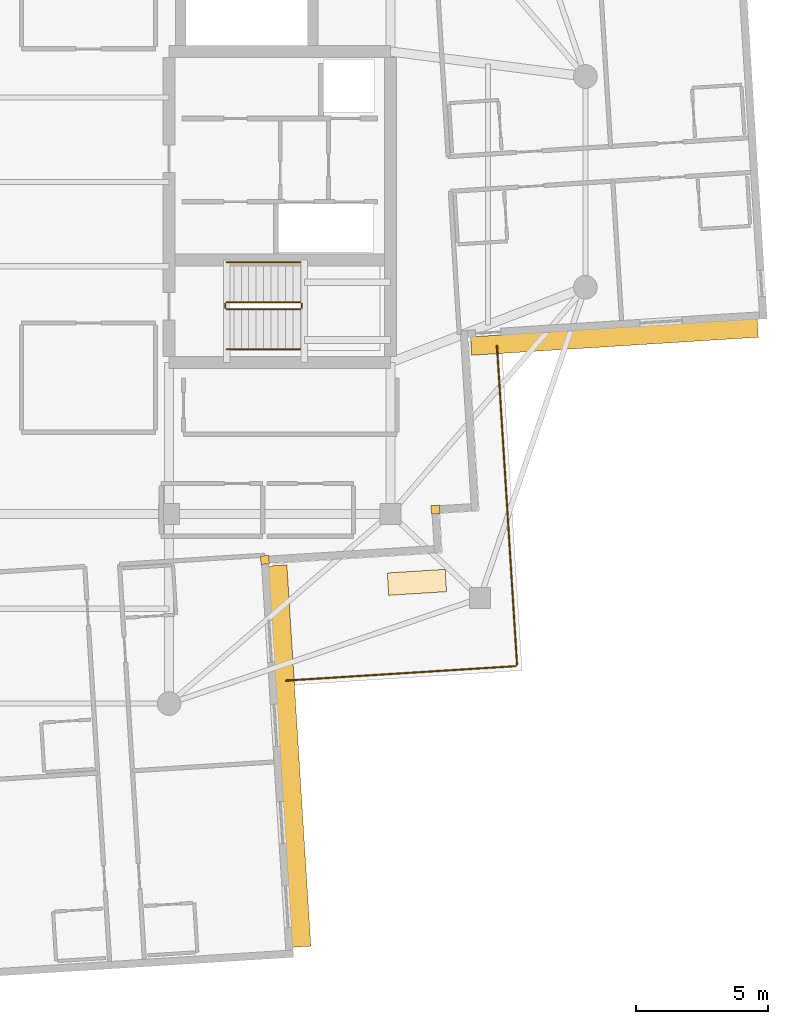
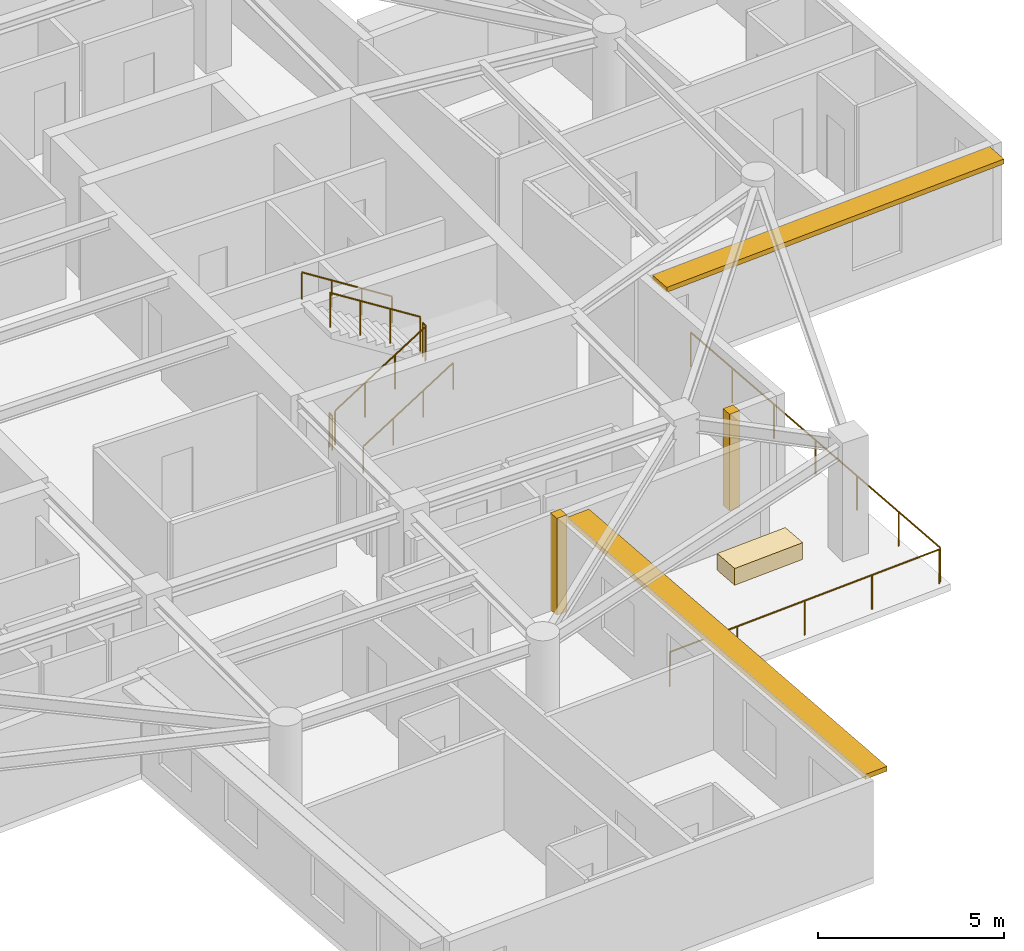
# One storey, part 11 of 13: 8 railings, 3 coverings, 2 shading devices.
"""IFC4 building model written with IfcOpenShell, lengths in metres."""

from ifc_helpers import new_model, si_unit, direction, frame, origin, origin_2d, place, context, subcontext, project, spatial, rectangle, circle, extrude, material, layer, layer_set, type_object, element, save


model = new_model("IFC4")

# Units and contexts
model_context = context("Model", 3, precision=1e-05, world=origin(), true_north=direction((0.0, 1.0)))
body_context = subcontext(model_context, "Body", "Model", "MODEL_VIEW")
ifc_project = project(units=[si_unit("LENGTHUNIT", "METRE"), si_unit("AREAUNIT", "SQUARE_METRE"), si_unit("VOLUMEUNIT", "CUBIC_METRE"), si_unit("PLANEANGLEUNIT", "RADIAN"), si_unit("MASSUNIT", "GRAM", prefix="KILO")], contexts=[model_context])

# Site, building, storey
site_placement = place(None, origin())
site = spatial("IfcSite", under=ifc_project, at=site_placement, CompositionType="ELEMENT")
building_placement = place(site_placement, origin())
building = spatial("IfcBuilding", under=site, at=building_placement, Name="Qingluan Cross Belvedere", CompositionType="ELEMENT")
storey_placement = place(building_placement, frame((0.0, 0.0, 281.10009765625)))
storey = spatial("IfcBuildingStorey", under=building, at=storey_placement, Name="L70", CompositionType="ELEMENT", Elevation=281.10009765625)

# Coverings
ifc_material_1 = material(Name="Precast concrete C45", Category="concrete")
ifc_layer_1 = layer(ifc_material_1, 0.1201171875, Name="ConcreteSpandrelCladding_120")
ifc_layer_set_1 = layer_set([ifc_layer_1], Name="Precast concrete C45")
covering_type_1 = type_object("IfcCoveringType", Name="ConcreteSpandrelCladding_120", PredefinedType="CLADDING", material=ifc_layer_set_1)
for number, where, z_axis, x_axis, name in (
    (1, (14.10888671875, -12.438720703125, 0.0), (0.0, 0.0, 1.0), (0.998026728428, 0.062790519529, 0.0), "Corner closure L70-SE1"),
    (2, (7.635986328125, -14.348876953125, 0.0), (0.0, 0.0, 1.0), (0.998026728428, 0.062790519529, 0.0), "Corner closure L70-SE2"),
):
    element("IfcCovering", number, at=place(storey_placement, frame(where, z_axis=z_axis, x_axis=x_axis)), inside=storey, type_object=covering_type_1, Name=name, PredefinedType="CLADDING", context=body_context, shape_type="SweptSolid", body=[
        extrude(rectangle(XDim=0.320068359375, YDim=0.320068359375, at=origin_2d()), origin(), (0.0, 0.0, 1.0), 3.179931640625),
    ])

# Shading devices
ifc_material_2 = material(Name="Precast concrete C45", Category="concrete")
ifc_layer_2 = layer(ifc_material_2, 0.139892578125, Name="ConcreteSunshadeBand_700")
ifc_layer_set_2 = layer_set([ifc_layer_2], Name="Precast concrete C45")
shading_device_type = type_object("IfcShadingDeviceType", Name="ConcreteSunshadeBand_700", PredefinedType="USERDEFINED", material=ifc_layer_set_2)
shading_device_1_placement = place(storey_placement, frame((20.901123046875, -5.88916015625, 3.0), z_axis=(0.0, 0.0, 1.0), x_axis=(0.99802715169, 0.062783791618, 0.0)))
element("IfcShadingDevice", 3, at=shading_device_1_placement, inside=storey, type_object=shading_device_type, Name="Concrete SUNSHADE L70-EA", ObjectType="SUNSHADE", PredefinedType="USERDEFINED", context=body_context, shape_type="SweptSolid", body=[
    extrude(rectangle(XDim=10.89990234375, YDim=0.699951171875, at=origin_2d()), origin(), (0.0, 0.0, 1.0), 0.159912109375),
])
shading_device_2_placement = place(storey_placement, frame((8.575439453125, -21.794677734375, 3.0), z_axis=(0.0, 0.0, 1.0), x_axis=(-0.062795866837, 0.99802639199, 0.0)))
element("IfcShadingDevice", 4, at=shading_device_2_placement, inside=storey, type_object=shading_device_type, Name="Concrete SUNSHADE L70-SB", ObjectType="SUNSHADE", PredefinedType="USERDEFINED", context=body_context, shape_type="SweptSolid", body=[
    extrude(rectangle(XDim=14.5, YDim=0.699951171875, at=origin_2d()), origin(), (0.0, 0.0, 1.0), 0.159912109375),
])

# Railings
ifc_material_3 = material(Name="Brushed stainless steel tubular handrail", Category="steel")
railing_type_1 = type_object("IfcRailingType", Name="StairPitchHandrail_900", PredefinedType="HANDRAIL", material=ifc_material_3)
railing_1_placement = place(storey_placement, frame((6.179931640625, -6.35009765625, 0.17724609375)))
element("IfcRailing", 5, at=railing_1_placement, inside=storey, type_object=railing_type_1, Name="L70 ST2 stair handrail 1", PredefinedType="HANDRAIL", context=body_context, shape_type="SweptSolid", body=[
    extrude(circle(Radius=0.02392578125, at=origin_2d()), frame((0.0, 0.0, 0.8759765625), z_axis=(0.844908973607, 0.0, 0.534910110503), x_axis=(0.0, 1.0, 0.0)), (0.0, 0.0, 1.0), 3.31396484375),
    extrude(circle(Radius=0.02099609375, at=origin_2d()), origin(), (0.0, 0.0, 1.0), 0.851806640625),
    extrude(circle(Radius=0.02099609375, at=origin_2d()), frame((0.933349609375, 0.0, 0.5908203125)), (0.0, 0.0, 1.0), 0.851806640625),
    extrude(circle(Radius=0.02099609375, at=origin_2d()), frame((1.86669921875, 0.0, 1.181884765625)), (0.0, 0.0, 1.0), 0.851806640625),
    extrude(circle(Radius=0.02099609375, at=origin_2d()), frame((2.800048828125, 0.0, 1.772705078125)), (0.0, 0.0, 1.0), 0.851806640625),
])
railing_2_placement = place(storey_placement, frame((8.97998046875, -3.050048828125, 2.127197265625)))
element("IfcRailing", 6, at=railing_2_placement, inside=storey, type_object=railing_type_1, Name="L70 ST2 stair handrail 2", PredefinedType="HANDRAIL", context=body_context, shape_type="SweptSolid", body=[
    extrude(circle(Radius=0.02392578125, at=origin_2d()), frame((0.0, 0.0, 0.8759765625), z_axis=(-0.844908973607, 0.0, 0.534910110503), x_axis=(0.0, -1.0, 0.0)), (0.0, 0.0, 1.0), 3.31396484375),
    extrude(circle(Radius=0.02099609375, at=origin_2d()), origin(), (0.0, 0.0, 1.0), 0.851806640625),
    extrude(circle(Radius=0.02099609375, at=origin_2d()), frame((-0.933349609375, 0.0, 0.5908203125)), (0.0, 0.0, 1.0), 0.851806640625),
    extrude(circle(Radius=0.02099609375, at=origin_2d()), frame((-1.86669921875, 0.0, 1.181884765625)), (0.0, 0.0, 1.0), 0.851806640625),
    extrude(circle(Radius=0.02099609375, at=origin_2d()), frame((-2.800048828125, 0.0, 1.772705078125)), (0.0, 0.0, 1.0), 0.851806640625),
])
ifc_material_4 = material(Name="Painted steel stair well guard", Category="steel")
railing_type_2 = type_object("IfcRailingType", Name="StairWellGuard_1150", PredefinedType="BALUSTRADE", material=ifc_material_4)
railing_3_placement = place(storey_placement, frame((6.179931640625, -4.830078125, 0.17724609375)))
element("IfcRailing", 7, at=railing_3_placement, inside=storey, type_object=railing_type_2, Name="L70 ST2 stair guard 1", PredefinedType="BALUSTRADE", context=body_context, shape_type="SweptSolid", body=[
    extrude(circle(Radius=0.02392578125, at=origin_2d()), frame((0.0, 0.0, 1.1259765625), z_axis=(0.844908973607, 0.0, 0.534910110503), x_axis=(0.0, 1.0, 0.0)), (0.0, 0.0, 1.0), 3.31396484375),
    extrude(circle(Radius=0.02099609375, at=origin_2d()), origin(), (0.0, 0.0, 1.0), 1.101806640625),
    extrude(circle(Radius=0.02099609375, at=origin_2d()), frame((0.933349609375, 0.0, 0.5908203125)), (0.0, 0.0, 1.0), 1.101806640625),
    extrude(circle(Radius=0.02099609375, at=origin_2d()), frame((1.86669921875, 0.0, 1.181884765625)), (0.0, 0.0, 1.0), 1.101806640625),
    extrude(circle(Radius=0.02099609375, at=origin_2d()), frame((2.800048828125, 0.0, 1.772705078125)), (0.0, 0.0, 1.0), 1.101806640625),
])
railing_4_placement = place(storey_placement, frame((9.030029296875, -4.780029296875, 1.949951171875)))
element("IfcRailing", 8, at=railing_4_placement, inside=storey, type_object=railing_type_2, Name="L70 ST2 stair guard 2", PredefinedType="BALUSTRADE", context=body_context, shape_type="SweptSolid", body=[
    extrude(circle(Radius=0.02392578125, at=origin_2d()), frame((0.0, 0.0, 1.1259765625), z_axis=(0.0, 1.0, 0.0), x_axis=(-1.0, 0.0, 0.0)), (0.0, 0.0, 1.0), 0.159912109375),
    extrude(circle(Radius=0.02099609375, at=origin_2d()), origin(), (0.0, 0.0, 1.0), 1.101806640625),
    extrude(circle(Radius=0.02099609375, at=origin_2d()), frame((0.0, 0.159912109375, 0.0)), (0.0, 0.0, 1.0), 1.101806640625),
])
railing_5_placement = place(storey_placement, frame((8.97998046875, -4.570068359375, 2.127197265625)))
element("IfcRailing", 9, at=railing_5_placement, inside=storey, type_object=railing_type_2, Name="L70 ST2 stair guard 3", PredefinedType="BALUSTRADE", context=body_context, shape_type="SweptSolid", body=[
    extrude(circle(Radius=0.02392578125, at=origin_2d()), frame((0.0, 0.0, 1.1259765625), z_axis=(-0.844908973607, 0.0, 0.534910110503), x_axis=(0.0, -1.0, 0.0)), (0.0, 0.0, 1.0), 3.31396484375),
    extrude(circle(Radius=0.02099609375, at=origin_2d()), origin(), (0.0, 0.0, 1.0), 1.101806640625),
    extrude(circle(Radius=0.02099609375, at=origin_2d()), frame((-0.933349609375, 0.0, 0.5908203125)), (0.0, 0.0, 1.0), 1.101806640625),
    extrude(circle(Radius=0.02099609375, at=origin_2d()), frame((-1.86669921875, 0.0, 1.181884765625)), (0.0, 0.0, 1.0), 1.101806640625),
    extrude(circle(Radius=0.02099609375, at=origin_2d()), frame((-2.800048828125, 0.0, 1.772705078125)), (0.0, 0.0, 1.0), 1.101806640625),
])
railing_6_placement = place(storey_placement, frame((6.1298828125, -4.780029296875, 0.0)))
element("IfcRailing", 10, at=railing_6_placement, inside=storey, type_object=railing_type_2, Name="L70 ST2 stair guard 4", PredefinedType="BALUSTRADE", context=body_context, shape_type="SweptSolid", body=[
    extrude(circle(Radius=0.02392578125, at=origin_2d()), frame((0.0, 0.0, 1.1259765625), z_axis=(0.0, 1.0, 0.0), x_axis=(-1.0, 0.0, 0.0)), (0.0, 0.0, 1.0), 0.159912109375),
    extrude(circle(Radius=0.02099609375, at=origin_2d()), origin(), (0.0, 0.0, 1.0), 1.101806640625),
    extrude(circle(Radius=0.02099609375, at=origin_2d()), frame((0.0, 0.159912109375, 0.0)), (0.0, 0.0, 1.0), 1.101806640625),
])
ifc_material_5 = material(Name="Laminated glass and stainless steel balustrade", Category="steel")
railing_type_3 = type_object("IfcRailingType", Name="TerraceGuardBalustrade_1150", PredefinedType="BALUSTRADE", material=ifc_material_5)
railing_7_placement = place(storey_placement, frame((16.443115234375, -6.2197265625, 0.0)))
element("IfcRailing", 11, at=railing_7_placement, inside=storey, type_object=railing_type_3, Name="Terrace guard L70-1", PredefinedType="BALUSTRADE", context=body_context, shape_type="SweptSolid", body=[
    extrude(circle(Radius=0.02392578125, at=origin_2d()), frame((0.0, 0.0, 1.1259765625), z_axis=(0.062787106563, -0.998026943148, 0.0), x_axis=(0.998026943148, 0.062787106563, 0.0)), (0.0, 0.0, 1.0), 12.1201171875),
    extrude(circle(Radius=0.02099609375, at=origin_2d()), origin(), (0.0, 0.0, 1.0), 1.101806640625),
    extrude(circle(Radius=0.02099609375, at=origin_2d()), frame((0.126953125, -2.01611328125, 0.0)), (0.0, 0.0, 1.0), 1.101806640625),
    extrude(circle(Radius=0.02099609375, at=origin_2d()), frame((0.253662109375, -4.031982421875, 0.0)), (0.0, 0.0, 1.0), 1.101806640625),
    extrude(circle(Radius=0.02099609375, at=origin_2d()), frame((0.38037109375, -6.048095703125, 0.0)), (0.0, 0.0, 1.0), 1.101806640625),
    extrude(circle(Radius=0.02099609375, at=origin_2d()), frame((0.50732421875, -8.064208984375, 0.0)), (0.0, 0.0, 1.0), 1.101806640625),
    extrude(circle(Radius=0.02099609375, at=origin_2d()), frame((0.63427734375, -10.080078125, 0.0)), (0.0, 0.0, 1.0), 1.101806640625),
    extrude(circle(Radius=0.02099609375, at=origin_2d()), frame((0.760986328125, -12.09619140625, 0.0)), (0.0, 0.0, 1.0), 1.101806640625),
])
railing_8_placement = place(storey_placement, frame((17.14794921875, -18.37939453125, 0.0)))
element("IfcRailing", 12, at=railing_8_placement, inside=storey, type_object=railing_type_3, Name="Terrace guard L70-2", PredefinedType="BALUSTRADE", context=body_context, shape_type="SweptSolid", body=[
    extrude(circle(Radius=0.02392578125, at=origin_2d()), frame((0.0, 0.0, 1.1259765625), z_axis=(-0.998026235633, -0.062798351797, 0.0), x_axis=(0.062798351797, -0.998026235633, 0.0)), (0.0, 0.0, 1.0), 8.719970703125),
    extrude(circle(Radius=0.02099609375, at=origin_2d()), origin(), (0.0, 0.0, 1.0), 1.101806640625),
    extrude(circle(Radius=0.02099609375, at=origin_2d()), frame((-2.17578125, -0.136962890625, 0.0)), (0.0, 0.0, 1.0), 1.101806640625),
    extrude(circle(Radius=0.02099609375, at=origin_2d()), frame((-4.3515625, -0.27392578125, 0.0)), (0.0, 0.0, 1.0), 1.101806640625),
    extrude(circle(Radius=0.02099609375, at=origin_2d()), frame((-6.527099609375, -0.41064453125, 0.0)), (0.0, 0.0, 1.0), 1.101806640625),
    extrude(circle(Radius=0.02099609375, at=origin_2d()), frame((-8.702880859375, -0.547607421875, 0.0)), (0.0, 0.0, 1.0), 1.101806640625),
])

# Covering
ifc_material_6 = material(Name="Precast concrete C40", Category="concrete")
ifc_layer_3 = layer(ifc_material_6, 0.550048828125, Name="TerracePlanterBox")
ifc_layer_set_3 = layer_set([ifc_layer_3], Name="Precast concrete C40")
covering_type_2 = type_object("IfcCoveringType", Name="TerracePlanterBox", PredefinedType="USERDEFINED", material=ifc_layer_set_3)
covering_placement = place(storey_placement, frame((13.406005859375, -15.197998046875, 0.0), z_axis=(0.0, 0.0, 1.0), x_axis=(0.998026728428, 0.062790519529, 0.0)))
element("IfcCovering", 13, at=covering_placement, inside=storey, type_object=covering_type_2, Name="Spiralling winter-garden planter L70", ObjectType="PLANTER", PredefinedType="USERDEFINED", context=body_context, shape_type="SweptSolid", body=[
    extrude(rectangle(XDim=2.199951171875, YDim=0.85009765625, at=origin_2d()), origin(), (0.0, 0.0, 1.0), 0.550048828125),
])

save(model, "model.ifc")
